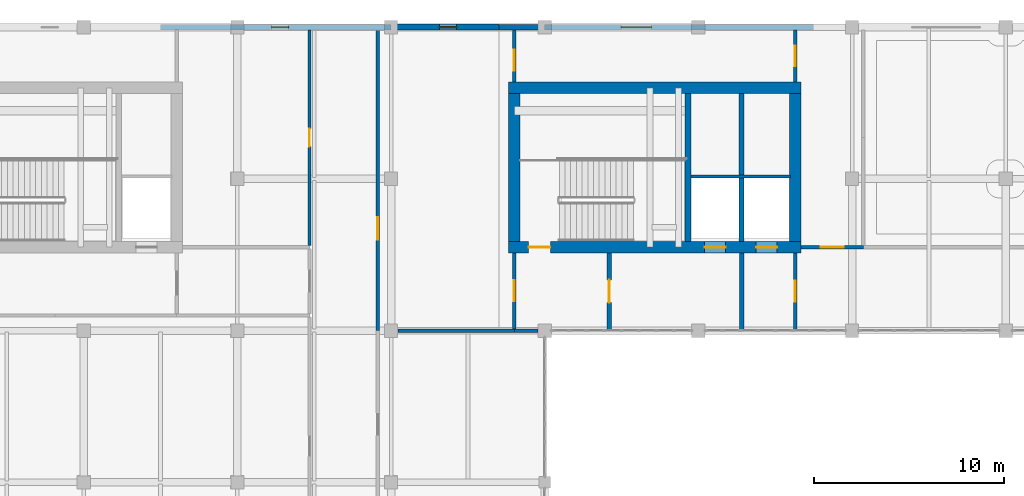
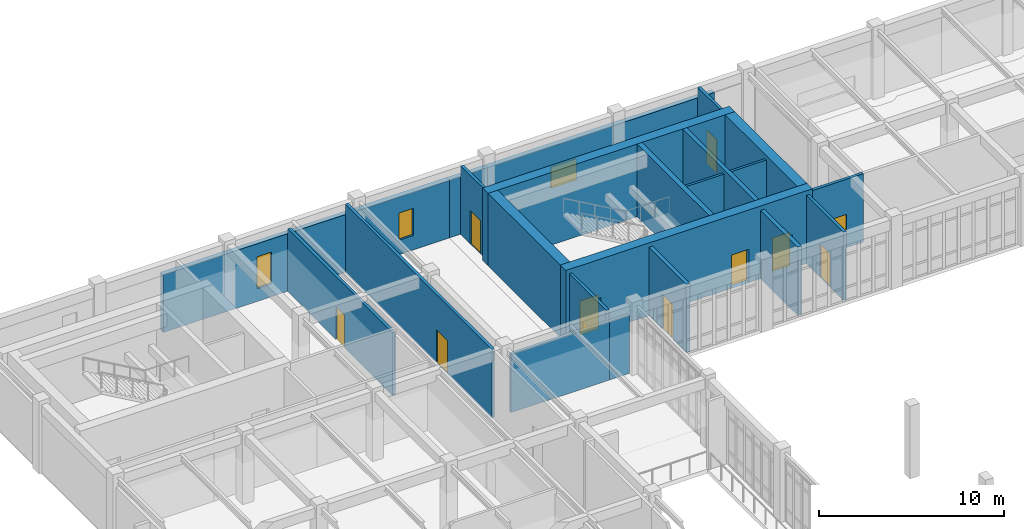
# One storey, part 47 of 61: 22 walls, 11 doors, 3 windows, 14 openings.
"""IFC4 building model written with IfcOpenShell, lengths in metres."""

import ifcopenshell
import ifcopenshell.guid

model = None  # the IFC model being written
_history = None  # IfcOwnerHistory: only IFC2X3 demands one
_inside = {}  # id of a spatial element -> (the spatial element, [elements in it])
_under = {}  # id of a project, library or spatial element -> (it, [spatial elements below it])
_declared = {}  # id of a project -> (the project, [libraries it declares])
_typed = {}  # id of a type object -> (the type object, [elements of that type])
_made_of = {}  # id of a material, layer set ... -> (it, [elements and type objects made of it])


def new_model(schema):
    """Start an empty IFC model of exactly this schema.

    Asked for "IFC4X3", IfcOpenShell would pick the latest addendum, in which some entities
    have other attributes; the version numbers below select the first issue.
    IFC2X3 requires an IfcOwnerHistory on every rooted entity: one is made here for all.
    """
    global model, _history
    if schema == "IFC4X3":
        model = ifcopenshell.file(schema_version=(4, 3, 0, 0))
    else:
        model = ifcopenshell.file(schema=schema)
    _inside.clear()
    _under.clear()
    _declared.clear()
    _typed.clear()
    _made_of.clear()
    _history = None
    if model.schema == "IFC2X3":
        org = make("IfcOrganization", Name="unknown")
        user = make(
            "IfcPersonAndOrganization",
            ThePerson=make("IfcPerson", FamilyName="unknown"),
            TheOrganization=org,
        )
        app = make(
            "IfcApplication",
            ApplicationDeveloper=org,
            Version="unknown",
            ApplicationFullName="unknown",
            ApplicationIdentifier="unknown",
        )
        _history = make(
            "IfcOwnerHistory",
            OwningUser=user,
            OwningApplication=app,
            ChangeAction="ADDED",
            CreationDate=0,
        )
    return model


def make(cls, **values):
    """One entity of the class cls with the attributes given. An attribute that is None is left unset."""
    return model.create_entity(
        cls, **{name: value for name, value in values.items() if value is not None}
    )


def rooted(cls, **values):
    """An entity with a GlobalId (a new one), such as an element, a storey or a relation."""
    return make(cls, GlobalId=ifcopenshell.guid.new(), OwnerHistory=_history, **values)


def si_unit(unit_type, name, prefix=None):
    """IfcSIUnit, for example si_unit("LENGTHUNIT", "METRE", prefix="MILLI")."""
    return make("IfcSIUnit", UnitType=unit_type, Prefix=prefix, Name=name)


def assignment(units):
    """IfcUnitAssignment: the units of a project."""
    return None if units is None else make("IfcUnitAssignment", Units=units)


def point(xyz):
    """IfcCartesianPoint."""
    return None if xyz is None else make("IfcCartesianPoint", Coordinates=xyz)


def direction(xyz):
    """IfcDirection."""
    return None if xyz is None else make("IfcDirection", DirectionRatios=xyz)


def frame(location, z_axis=None, x_axis=None):
    """IfcAxis2Placement3D, a coordinate frame: its origin and axes. An axis left out is left unset."""
    return make(
        "IfcAxis2Placement3D",
        Location=point(location),
        Axis=direction(z_axis),
        RefDirection=direction(x_axis),
    )


def frame_2d(location, x_axis=None):
    """IfcAxis2Placement2D, a coordinate frame in the plane: its origin and x axis."""
    return make(
        "IfcAxis2Placement2D", Location=point(location), RefDirection=direction(x_axis)
    )


def origin():
    """The frame at (0, 0, 0) with its axes left unset."""
    return frame((0.0, 0.0, 0.0))


def place(relative_to, where):
    """IfcLocalPlacement: puts the frame where relative to a parent placement (None: the world)."""
    return make(
        "IfcLocalPlacement", PlacementRelTo=relative_to, RelativePlacement=where
    )


def context(
    kind, dimensions, precision=None, world=None, true_north=None, identifier=None
):
    """IfcGeometricRepresentationContext, for example the 3D "Model" context."""
    return make(
        "IfcGeometricRepresentationContext",
        ContextIdentifier=identifier,
        ContextType=kind,
        CoordinateSpaceDimension=dimensions,
        Precision=precision,
        WorldCoordinateSystem=world,
        TrueNorth=true_north,
    )


def subcontext(parent, identifier, kind, view, scale=None):
    """IfcGeometricRepresentationSubContext, for example "Body" below "Model"."""
    return make(
        "IfcGeometricRepresentationSubContext",
        ContextIdentifier=identifier,
        ContextType=kind,
        ParentContext=parent,
        TargetScale=scale,
        TargetView=view,
    )


def project(units=None, contexts=None):
    """IfcProject with its units and contexts."""
    return rooted(
        "IfcProject",
        Name="project",
        RepresentationContexts=contexts,
        UnitsInContext=assignment(units),
    )


def spatial(cls, under=None, at=None, **own):
    """A site, building, storey or space (cls), placed at a placement, below another one or the project."""
    s = rooted(cls, ObjectPlacement=at, **own)
    if under is not None:
        _under.setdefault(under.id(), (under, []))[1].append(s)
    return s


def profile(cls, at=None, kind="AREA", **sizes):
    """A parametric profile (cls). Its sizes go by their IFC names, for example OverallWidth=200.0."""
    return make(cls, ProfileType=kind, Position=at, **sizes)


def rectangle(**sizes):
    """IfcRectangleProfileDef."""
    return profile("IfcRectangleProfileDef", **sizes)


def extrude(swept, where, along, depth):
    """IfcExtrudedAreaSolid: the profile swept, set in the frame where, extruded along a direction by depth."""
    return make(
        "IfcExtrudedAreaSolid",
        SweptArea=swept,
        Position=where,
        ExtrudedDirection=direction(along),
        Depth=depth,
    )


def shape(context_of_items, identifier, shape_type, items):
    """IfcShapeRepresentation: the items that make up one representation, for example the "Body"."""
    return make(
        "IfcShapeRepresentation",
        ContextOfItems=context_of_items,
        RepresentationIdentifier=identifier,
        RepresentationType=shape_type,
        Items=items,
    )


def material(Name=None, Category=None):
    """IfcMaterial."""
    return make("IfcMaterial", Name=Name, Category=Category)


def layer(
    of_material, thickness, ventilated=None, Name=None, Category=None, Priority=None
):
    """IfcMaterialLayer: one layer of a wall or slab, of a material (None: an air gap)."""
    return make(
        "IfcMaterialLayer",
        Material=of_material,
        LayerThickness=thickness,
        IsVentilated=ventilated,
        Name=Name,
        Category=Category,
        Priority=Priority,
    )


def layer_set(layers, Name=None):
    """IfcMaterialLayerSet."""
    return make("IfcMaterialLayerSet", MaterialLayers=layers, LayerSetName=Name)


def made_of(thing, what):
    """Note that an element or type object is made of a material, layer set ...; save() writes the relation."""
    if what is not None:
        _made_of.setdefault(what.id(), (what, []))[1].append(thing)
    return thing


def type_object(cls, material=None, **own):
    """A type object (cls), such as IfcWallType, which elements share."""
    return made_of(rooted(cls, **own), material)


def element(
    cls,
    number,
    at=None,
    inside=None,
    cuts=None,
    type_object=None,
    material=None,
    context=None,
    identifier="Body",
    shape_type=None,
    held_by="IfcProductDefinitionShape",
    body=None,
    shapes=None,
    **own,
):
    """One element of the class cls, such as IfcWall. Its Tag is "e" and its number.

    at: its placement. inside: the storey or other place that contains it. cuts: it is an
    opening in that element (IfcRelVoidsElement). A single representation is given by context,
    identifier, shape_type and body (its items); several are given by shapes. held_by: the class
    of the entity that holds the representations. save() writes the other relations.
    """
    e = rooted(cls, Tag="e%d" % number, ObjectPlacement=at, **own)
    if body is not None:
        shapes = [shape(context, identifier, shape_type, body)]
    if shapes is not None:
        e.Representation = make(held_by, Representations=shapes)
    if inside is not None:
        _inside.setdefault(inside.id(), (inside, []))[1].append(e)
    if cuts is not None:
        rooted(
            "IfcRelVoidsElement", RelatingBuildingElement=cuts, RelatedOpeningElement=e
        )
    if type_object is not None:
        _typed.setdefault(type_object.id(), (type_object, []))[1].append(e)
    return made_of(e, material)


def fill(opening, filler):
    """IfcRelFillsElement: the door or window that sits in an opening."""
    return rooted(
        "IfcRelFillsElement",
        RelatingOpeningElement=opening,
        RelatedBuildingElement=filler,
    )


def aggregate(whole, parts):
    """IfcRelAggregates: a whole, such as a stair, and the parts it consists of."""
    return rooted("IfcRelAggregates", RelatingObject=whole, RelatedObjects=parts)


def save(model, path):
    """Write the relations noted so far, then the file.

    IfcRelAggregates (storeys below a building ...), IfcRelContainedInSpatialStructure (elements
    in a storey), IfcRelDefinesByType, IfcRelAssociatesMaterial and IfcRelDeclares: one each for
    every whole, place, type object, material and project.
    """
    for whole, parts in _under.values():
        aggregate(whole, parts)
    for where, things in _inside.values():
        rooted(
            "IfcRelContainedInSpatialStructure",
            RelatedElements=things,
            RelatingStructure=where,
        )
    for kind, things in _typed.values():
        rooted("IfcRelDefinesByType", RelatedObjects=things, RelatingType=kind)
    for what, things in _made_of.values():
        rooted("IfcRelAssociatesMaterial", RelatedObjects=things, RelatingMaterial=what)
    for by, libraries in _declared.values():
        rooted("IfcRelDeclares", RelatingContext=by, RelatedDefinitions=libraries)
    model.write(path)


model = new_model("IFC4")

# Units and contexts
model_context = context("Model", 3, precision=1e-05, world=origin(), true_north=direction((0.0, 1.0)))
body_context = subcontext(model_context, "Body", "Model", "MODEL_VIEW")
ifc_project = project(units=[si_unit("LENGTHUNIT", "METRE"), si_unit("AREAUNIT", "SQUARE_METRE"), si_unit("VOLUMEUNIT", "CUBIC_METRE"), si_unit("PLANEANGLEUNIT", "RADIAN"), si_unit("MASSUNIT", "GRAM", prefix="KILO")], contexts=[model_context])

# Site, building, storey
site_placement = place(None, origin())
site = spatial("IfcSite", under=ifc_project, at=site_placement, CompositionType="ELEMENT")
building_placement = place(site_placement, origin())
building = spatial("IfcBuilding", under=site, at=building_placement, Name="Tarnveldt Square Police Headquarters", CompositionType="ELEMENT")
storey_placement = place(building_placement, frame((0.0, 0.0, 5.39990234375)))
storey = spatial("IfcBuildingStorey", under=building, at=storey_placement, Name="L01", CompositionType="ELEMENT", Elevation=5.39990234375)

# Walls
ifc_material_1 = material(Name="Concrete 50 MPa", Category="concrete")
ifc_layer_1 = layer(ifc_material_1, 0.449951171875)
ifc_layer_set_1 = layer_set([ifc_layer_1], Name="Concrete 50 MPa")
wall_type_1 = type_object("IfcWallType", Name="WL-CORE-450", PredefinedType="SHEAR", material=ifc_layer_set_1)
wall_1_placement = place(storey_placement, frame((56.14990234375, 100.699951171875, 0.0), z_axis=(0.0, 0.0, 1.0), x_axis=(0.0, 1.0, 0.0)))
element("IfcWall", 1, at=wall_1_placement, inside=storey, type_object=wall_type_1, Name="Core K3 North-Central Forensic and Firefighting Core L01 Stair-Lift Divider Shear Wall", PredefinedType="SHEAR", context=body_context, shape_type="SweptSolid", body=[
    extrude(rectangle(XDim=7.800048828125, YDim=0.300048828125, at=frame_2d((3.89990234375, 0.0))), origin(), (0.0, 0.0, 1.0), 4.800048828125),
])
wall_2_placement = place(storey_placement, frame((58.97509765625, 100.699951171875, 0.0), z_axis=(0.0, 0.0, 1.0), x_axis=(0.0, 1.0, 0.0)))
element("IfcWall", 2, at=wall_2_placement, inside=storey, type_object=wall_type_1, Name="Core K3 North-Central Forensic and Firefighting Core L01 Dual-Lift Shaft Divider Wall", PredefinedType="SHEAR", context=body_context, shape_type="SweptSolid", body=[
    extrude(rectangle(XDim=7.800048828125, YDim=0.25, at=frame_2d((3.89990234375, 0.0))), origin(), (0.0, 0.0, 1.0), 4.800048828125),
])

# Wall, openings, doors
ifc_layer_2 = layer(ifc_material_1, 0.60009765625)
ifc_layer_set_2 = layer_set([ifc_layer_2], Name="Concrete 50 MPa")
wall_type_2 = type_object("IfcWallType", Name="WL-CORE-600", PredefinedType="SHEAR", material=ifc_layer_set_2)
wall_3_placement = place(storey_placement, frame((46.699951171875, 100.39990234375, 0.0), z_axis=(0.0, 0.0, 1.0), x_axis=(1.0, 0.0, 0.0)))
wall_3 = element("IfcWall", 3, at=wall_3_placement, inside=storey, type_object=wall_type_2, Name="Core K3 North-Central Forensic and Firefighting Core L01 South Shear Wall", PredefinedType="SHEAR", context=body_context, shape_type="SweptSolid", body=[
    extrude(rectangle(XDim=15.400146484375, YDim=0.60009765625, at=frame_2d((7.7001953125, 0.0))), origin(), (0.0, 0.0, 1.0), 4.800048828125),
])
opening_1_placement = place(wall_3_placement, frame((1.050048828125, 0.0, 0.0)))
opening_1 = element("IfcOpeningElement", 4, at=opening_1_placement, cuts=wall_3, Name="Opening D-ST3-L01", PredefinedType="OPENING", context=body_context, shape_type="SweptSolid", body=[
    extrude(rectangle(XDim=1.14990234375, YDim=2.25, at=frame_2d((0.574951171875, 1.125))), frame((0.0, 0.31005859375, 0.0), z_axis=(0.0, -1.0, 0.0), x_axis=(1.0, 0.0, 0.0)), (0.0, 0.0, 1.0), 0.6201171875),
])
opening_2_placement = place(wall_3_placement, frame((10.33251953125, 0.0, 0.0)))
opening_2 = element("IfcOpeningElement", 5, at=opening_2_placement, cuts=wall_3, Name="Opening LD-LF2-L01", PredefinedType="OPENING", context=body_context, shape_type="SweptSolid", body=[
    extrude(rectangle(XDim=1.10009765625, YDim=2.199951171875, at=frame_2d((0.550048828125, 1.10009765625))), frame((0.0, 0.31005859375, 0.0), z_axis=(0.0, -1.0, 0.0), x_axis=(1.0, 0.0, 0.0)), (0.0, 0.0, 1.0), 0.6201171875),
])
opening_3_placement = place(wall_3_placement, frame((13.047607421875, 0.0, 0.0)))
opening_3 = element("IfcOpeningElement", 6, at=opening_3_placement, cuts=wall_3, Name="Opening LD-LP3-L01", PredefinedType="OPENING", context=body_context, shape_type="SweptSolid", body=[
    extrude(rectangle(XDim=1.10009765625, YDim=2.199951171875, at=frame_2d((0.550048828125, 1.10009765625))), frame((0.0, 0.31005859375, 0.0), z_axis=(0.0, -1.0, 0.0), x_axis=(1.0, 0.0, 0.0)), (0.0, 0.0, 1.0), 0.6201171875),
])
ifc_material_2 = material(Name="Insulated hollow metal steel door leaf", Category="steel")
door_type_1 = type_object("IfcDoorType", Name="DR-FD90-1150", OperationType="NOTDEFINED", PredefinedType="DOOR", material=ifc_material_2)
door_1_placement = place(opening_1_placement, origin())
door_1 = element("IfcDoor", 7, at=door_1_placement, inside=storey, type_object=door_type_1, Name="Exit Stair ST3 L01 Fire Door", OperationType="SINGLE_SWING_LEFT", OverallHeight=2.25, OverallWidth=1.14990234375, PredefinedType="DOOR", context=body_context, shape_type="SweptSolid", body=[
    extrude(rectangle(XDim=1.14990234375, YDim=2.25, at=frame_2d((0.574951171875, 1.125))), frame((0.0, 0.02490234375, 0.0), z_axis=(0.0, -1.0, 0.0), x_axis=(1.0, 0.0, 0.0)), (0.0, 0.0, 1.0), 0.050048828125),
])
fill(opening_1, door_1)
ifc_material_3 = material(Name="Steel 350W", Category="steel")
door_type_2 = type_object("IfcDoorType", Name="DR-LD-1100", OperationType="DOUBLE_DOOR_SLIDING", PredefinedType="DOOR", material=ifc_material_3)
door_2_placement = place(opening_2_placement, frame((1.10009765625, 0.0, 0.0), z_axis=(0.0, 0.0, 1.0), x_axis=(-1.0, 0.0, 0.0)))
door_2 = element("IfcDoor", 8, at=door_2_placement, inside=storey, type_object=door_type_2, Name="Elevator LF2 L01 Sliding Landing Door", OperationType="DOUBLE_DOOR_SLIDING", OverallHeight=2.199951171875, OverallWidth=1.10009765625, PredefinedType="DOOR", context=body_context, shape_type="SweptSolid", body=[
    extrude(rectangle(XDim=1.10009765625, YDim=2.199951171875, at=frame_2d((0.550048828125, 1.10009765625))), frame((0.0, 0.02490234375, 0.0), z_axis=(0.0, -1.0, 0.0), x_axis=(1.0, 0.0, 0.0)), (0.0, 0.0, 1.0), 0.050048828125),
])
fill(opening_2, door_2)
door_3_placement = place(opening_3_placement, frame((1.10009765625, 0.0, 0.0), z_axis=(0.0, 0.0, 1.0), x_axis=(-1.0, 0.0, 0.0)))
door_3 = element("IfcDoor", 9, at=door_3_placement, inside=storey, type_object=door_type_2, Name="Elevator LP3 L01 Sliding Landing Door", OperationType="DOUBLE_DOOR_SLIDING", OverallHeight=2.199951171875, OverallWidth=1.10009765625, PredefinedType="DOOR", context=body_context, shape_type="SweptSolid", body=[
    extrude(rectangle(XDim=1.10009765625, YDim=2.199951171875, at=frame_2d((0.550048828125, 1.10009765625))), frame((0.0, 0.02490234375, 0.0), z_axis=(0.0, -1.0, 0.0), x_axis=(1.0, 0.0, 0.0)), (0.0, 0.0, 1.0), 0.050048828125),
])
fill(opening_3, door_3)

# Walls
wall_4_placement = place(storey_placement, frame((46.699951171875, 108.800048828125, 0.0), z_axis=(0.0, 0.0, 1.0), x_axis=(1.0, 0.0, 0.0)))
element("IfcWall", 10, at=wall_4_placement, inside=storey, type_object=wall_type_2, Name="Core K3 North-Central Forensic and Firefighting Core L01 North Shear Wall", PredefinedType="SHEAR", context=body_context, shape_type="SweptSolid", body=[
    extrude(rectangle(XDim=15.400146484375, YDim=0.60009765625, at=frame_2d((7.7001953125, 0.0))), origin(), (0.0, 0.0, 1.0), 4.800048828125),
])
for number, where, z_axis, x_axis, name in (
    (11, (47.0, 100.699951171875, 0.0), (0.0, 0.0, 1.0), (0.0, 1.0, 0.0), "Core K3 North-Central Forensic and Firefighting Core L01 West Shear Wall"),
    (12, (61.800048828125, 100.699951171875, 0.0), (0.0, 0.0, 1.0), (0.0, 1.0, 0.0), "Core K3 North-Central Forensic and Firefighting Core L01 East Shear Wall"),
):
    element("IfcWall", number, at=place(storey_placement, frame(where, z_axis=z_axis, x_axis=x_axis)), inside=storey, type_object=wall_type_2, Name=name, PredefinedType="SHEAR", context=body_context, shape_type="SweptSolid", body=[
        extrude(rectangle(XDim=7.800048828125, YDim=0.60009765625, at=frame_2d((3.89990234375, 0.0))), origin(), (0.0, 0.0, 1.0), 4.800048828125),
    ])

# Wall, opening, window
ifc_material_4 = material(Name="Concrete 40 MPa", Category="concrete")
ifc_layer_3 = layer(ifc_material_4, 0.320068359375)
ifc_layer_set_3 = layer_set([ifc_layer_3], Name="Concrete 40 MPa")
wall_type_3 = type_object("IfcWallType", Name="WL-EXT-BH320", PredefinedType="SOLIDWALL", material=ifc_layer_set_3)
wall_5_placement = place(storey_placement, frame((46.199951171875, 112.0, 0.0), z_axis=(0.0, 0.0, 1.0), x_axis=(-1.0, 0.0, 0.0)))
wall_5 = element("IfcWall", 13, at=wall_5_placement, inside=storey, type_object=wall_type_3, Name="L01 Brutalist Exterior Wall 0091", PredefinedType="SOLIDWALL", context=body_context, shape_type="SweptSolid", body=[
    extrude(rectangle(XDim=5.699951171875, YDim=0.320068359375, at=frame_2d((2.85009765625, 0.0))), origin(), (0.0, 0.0, 1.0), 3.81201171875),
])
opening_4_placement = place(wall_5_placement, frame((2.25, 0.0, 0.949951171875)))
opening_4 = element("IfcOpeningElement", 14, at=opening_4_placement, cuts=wall_5, Name="Opening W01", PredefinedType="OPENING", context=body_context, shape_type="SweptSolid", body=[
    extrude(rectangle(XDim=0.89990234375, YDim=1.800048828125, at=frame_2d((0.449951171875, 0.89990234375))), frame((0.0, 0.169921875, 0.0), z_axis=(0.0, -1.0, 0.0), x_axis=(1.0, 0.0, 0.0)), (0.0, 0.0, 1.0), 0.340087890625),
])
ifc_material_5 = material(Name="Triple-glazed low-e laminated vision glass", Category="glass")
window_type_1 = type_object("IfcWindowType", Name="WIN-DR-090x180", PartitioningType="SINGLE_PANEL", PredefinedType="WINDOW", material=ifc_material_5)
window_1_placement = place(opening_4_placement, origin())
window_1 = element("IfcWindow", 15, at=window_1_placement, inside=storey, type_object=window_type_1, Name="L01 Deep-Reveal Brutalist Window 0025", OverallHeight=1.800048828125, OverallWidth=0.89990234375, PartitioningType="SINGLE_PANEL", PredefinedType="WINDOW", context=body_context, shape_type="SweptSolid", body=[
    extrude(rectangle(XDim=0.89990234375, YDim=1.800048828125, at=frame_2d((0.449951171875, 0.89990234375))), frame((0.0, 0.030029296875, 0.0), z_axis=(0.0, -1.0, 0.0), x_axis=(1.0, 0.0, 0.0)), (0.0, 0.0, 1.0), 0.06005859375),
])
fill(opening_4, window_1)

ifc_material_6 = material(Name="Manganese ironspot clay brick masonry 20 MPa", Category="masonry")
ifc_layer_4 = layer(ifc_material_6, 0.300048828125)
ifc_layer_set_4 = layer_set([ifc_layer_4], Name="Manganese ironspot clay brick masonry 20 MPa")
wall_type_4 = type_object("IfcWallType", Name="WL-EXT-BRK300", PredefinedType="SOLIDWALL", material=ifc_layer_set_4)
wall_6_placement = place(storey_placement, frame((62.77490234375, 112.0, 0.0), z_axis=(0.0, 0.0, 1.0), x_axis=(-1.0, 0.0, 0.0)))
wall_6 = element("IfcWall", 16, at=wall_6_placement, inside=storey, type_object=wall_type_4, Name="L01 Brutalist Exterior Wall 0089", PredefinedType="SOLIDWALL", context=body_context, shape_type="SweptSolid", body=[
    extrude(rectangle(XDim=14.1748046875, YDim=0.300048828125, at=frame_2d((7.08740234375, 0.0))), origin(), (0.0, 0.0, 1.0), 3.81201171875),
])
opening_5_placement = place(wall_6_placement, frame((8.550048828125, 0.0, 0.949951171875)))
opening_5 = element("IfcOpeningElement", 17, at=opening_5_placement, cuts=wall_6, Name="Opening W24", PredefinedType="OPENING", context=body_context, shape_type="SweptSolid", body=[
    extrude(rectangle(XDim=1.60009765625, YDim=1.39990234375, at=frame_2d((0.800048828125, 0.699951171875))), frame((0.0, 0.159912109375, 0.0), z_axis=(0.0, -1.0, 0.0), x_axis=(1.0, 0.0, 0.0)), (0.0, 0.0, 1.0), 0.320068359375),
])
ifc_material_7 = material(Name="UL 752 Level III laminated ballistic vision glass", Category="glass")
window_type_2 = type_object("IfcWindowType", Name="WIN-BAL-160x140", PartitioningType="SINGLE_PANEL", PredefinedType="WINDOW", material=ifc_material_7)
window_2_placement = place(opening_5_placement, origin())
window_2 = element("IfcWindow", 18, at=window_2_placement, inside=storey, type_object=window_type_2, Name="L01 Deep-Reveal Brutalist Window 0024", OverallHeight=1.39990234375, OverallWidth=1.60009765625, PartitioningType="SINGLE_PANEL", PredefinedType="WINDOW", context=body_context, shape_type="SweptSolid", body=[
    extrude(rectangle(XDim=1.60009765625, YDim=1.39990234375, at=frame_2d((0.800048828125, 0.699951171875))), frame((0.0, 0.030029296875, 0.0), z_axis=(0.0, -1.0, 0.0), x_axis=(1.0, 0.0, 0.0)), (0.0, 0.0, 1.0), 0.06005859375),
])
fill(opening_5, window_2)

# Wall
wall_7_placement = place(storey_placement, frame((48.60009765625, 112.0, 0.0), z_axis=(0.0, 0.0, 1.0), x_axis=(-1.0, 0.0, 0.0)))
element("IfcWall", 19, at=wall_7_placement, inside=storey, type_object=wall_type_4, Name="L01 Brutalist Exterior Wall 0090", PredefinedType="SOLIDWALL", context=body_context, shape_type="SweptSolid", body=[
    extrude(rectangle(XDim=2.400146484375, YDim=0.300048828125, at=frame_2d((1.2001953125, 0.0))), origin(), (0.0, 0.0, 1.0), 3.81201171875),
])

# Wall, opening, window
wall_8_placement = place(storey_placement, frame((40.5, 112.0, 0.0), z_axis=(0.0, 0.0, 1.0), x_axis=(-1.0, 0.0, 0.0)))
wall_8 = element("IfcWall", 20, at=wall_8_placement, inside=storey, type_object=wall_type_4, Name="L01 Brutalist Exterior Wall 0092", PredefinedType="SOLIDWALL", context=body_context, shape_type="SweptSolid", body=[
    extrude(rectangle(XDim=12.14990234375, YDim=0.300048828125, at=frame_2d((6.074951171875, 0.0))), origin(), (0.0, 0.0, 1.0), 3.81201171875),
])
opening_6_placement = place(wall_8_placement, frame((5.39990234375, 0.0, 0.85009765625)))
opening_6 = element("IfcOpeningElement", 21, at=opening_6_placement, cuts=wall_8, Name="Opening W02", PredefinedType="OPENING", context=body_context, shape_type="SweptSolid", body=[
    extrude(rectangle(XDim=0.89990234375, YDim=2.10009765625, at=frame_2d((0.449951171875, 1.050048828125))), frame((0.0, 0.159912109375, 0.0), z_axis=(0.0, -1.0, 0.0), x_axis=(1.0, 0.0, 0.0)), (0.0, 0.0, 1.0), 0.320068359375),
])
window_type_3 = type_object("IfcWindowType", Name="WIN-DR-090x210", PartitioningType="SINGLE_PANEL", PredefinedType="WINDOW", material=ifc_material_5)
window_3_placement = place(opening_6_placement, origin())
window_3 = element("IfcWindow", 22, at=window_3_placement, inside=storey, type_object=window_type_3, Name="L01 Deep-Reveal Brutalist Window 0026", OverallHeight=2.10009765625, OverallWidth=0.89990234375, PartitioningType="SINGLE_PANEL", PredefinedType="WINDOW", context=body_context, shape_type="SweptSolid", body=[
    extrude(rectangle(XDim=0.89990234375, YDim=2.10009765625, at=frame_2d((0.449951171875, 1.050048828125))), frame((0.0, 0.030029296875, 0.0), z_axis=(0.0, -1.0, 0.0), x_axis=(1.0, 0.0, 0.0)), (0.0, 0.0, 1.0), 0.06005859375),
])
fill(opening_6, window_3)

# Walls
ifc_material_8 = material(Name="Fire-rated Type X gypsum board on steel studs", Category="steel")
ifc_layer_5 = layer(ifc_material_8, 0.179931640625)
ifc_layer_set_5 = layer_set([ifc_layer_5], Name="Fire-rated Type X gypsum board on steel studs")
wall_type_5 = type_object("IfcWallType", Name="WL-FIRE-180", PredefinedType="PARTITIONING", material=ifc_layer_set_5)
wall_9_placement = place(storey_placement, frame((40.85791015625, 96.0, 0.0), z_axis=(0.0, 0.0, 1.0), x_axis=(1.0, 0.0, 0.0)))
element("IfcWall", 23, at=wall_9_placement, inside=storey, type_object=wall_type_5, Name="L01 Interior Partition Wall 0245", PredefinedType="PARTITIONING", context=body_context, shape_type="SweptSolid", body=[
    extrude(rectangle(XDim=6.14208984375, YDim=0.179931640625, at=frame_2d((3.071044921875, 0.0))), origin(), (0.0, 0.0, 1.0), 3.862060546875),
])
wall_10_placement = place(storey_placement, frame((47.0, 96.0, 0.0), z_axis=(0.0, 0.0, 1.0), x_axis=(1.0, 0.0, 0.0)))
element("IfcWall", 24, at=wall_10_placement, inside=storey, type_object=wall_type_5, Name="L01 Interior Partition Wall 0246", PredefinedType="PARTITIONING", context=body_context, shape_type="SweptSolid", body=[
    extrude(rectangle(XDim=1.241943359375, YDim=0.179931640625, at=frame_2d((0.62109375, 0.0))), origin(), (0.0, 0.0, 1.0), 3.862060546875),
])

# Wall, opening, door
wall_11_placement = place(storey_placement, frame((62.10009765625, 100.39990234375, 0.0), z_axis=(0.0, 0.0, 1.0), x_axis=(1.0, 0.0, 0.0)))
wall_11 = element("IfcWall", 25, at=wall_11_placement, inside=storey, type_object=wall_type_5, Name="L01 Interior Partition Wall 0248", PredefinedType="PARTITIONING", context=body_context, shape_type="SweptSolid", body=[
    extrude(rectangle(XDim=3.2998046875, YDim=0.179931640625, at=frame_2d((1.64990234375, 0.0))), origin(), (0.0, 0.0, 1.0), 4.52001953125),
])
opening_7_placement = place(wall_11_placement, frame((1.050048828125, 0.0, 0.0)))
opening_7 = element("IfcOpeningElement", 26, at=opening_7_placement, cuts=wall_11, Name="Opening D16", PredefinedType="OPENING", context=body_context, shape_type="SweptSolid", body=[
    extrude(rectangle(XDim=1.199951171875, YDim=2.199951171875, at=frame_2d((0.60009765625, 1.10009765625))), frame((0.0, 0.099853515625, 0.0), z_axis=(0.0, -1.0, 0.0), x_axis=(1.0, 0.0, 0.0)), (0.0, 0.0, 1.0), 0.199951171875),
])
door_type_3 = type_object("IfcDoorType", Name="DR-FD60-1200", OperationType="NOTDEFINED", PredefinedType="DOOR", material=ifc_material_2)
door_4_placement = place(opening_7_placement, frame((1.199951171875, 0.0, 0.0), z_axis=(0.0, 0.0, 1.0), x_axis=(-1.0, 0.0, 0.0)))
door_4 = element("IfcDoor", 27, at=door_4_placement, inside=storey, type_object=door_type_3, Name="Forensic Intake Corridor L01 Door", OperationType="SINGLE_SWING_RIGHT", OverallHeight=2.199951171875, OverallWidth=1.199951171875, PredefinedType="DOOR", context=body_context, shape_type="SweptSolid", body=[
    extrude(rectangle(XDim=1.199951171875, YDim=2.199951171875, at=frame_2d((0.60009765625, 1.10009765625))), frame((0.0, 0.02490234375, 0.0), z_axis=(0.0, -1.0, 0.0), x_axis=(1.0, 0.0, 0.0)), (0.0, 0.0, 1.0), 0.050048828125),
])
fill(opening_7, door_4)

wall_12_placement = place(storey_placement, frame((36.199951171875, 100.498046875, 0.0), z_axis=(0.0, 0.0, 1.0), x_axis=(0.0, 1.0, 0.0)))
wall_12 = element("IfcWall", 28, at=wall_12_placement, inside=storey, type_object=wall_type_5, Name="L01 Interior Partition Wall 0283", PredefinedType="PARTITIONING", context=body_context, shape_type="SweptSolid", body=[
    extrude(rectangle(XDim=11.343994140625, YDim=0.179931640625, at=frame_2d((5.671875, 0.0))), origin(), (0.0, 0.0, 1.0), 4.158203125),
])
opening_8_placement = place(wall_12_placement, frame((5.197021484375, 0.0, 0.0)))
opening_8 = element("IfcOpeningElement", 29, at=opening_8_placement, cuts=wall_12, Name="Opening D03", PredefinedType="OPENING", context=body_context, shape_type="SweptSolid", body=[
    extrude(rectangle(XDim=0.949951171875, YDim=2.14990234375, at=frame_2d((0.47509765625, 1.074951171875))), frame((0.0, 0.099853515625, 0.0), z_axis=(0.0, -1.0, 0.0), x_axis=(1.0, 0.0, 0.0)), (0.0, 0.0, 1.0), 0.199951171875),
])
ifc_material_9 = material(Name="Solid core architectural birch door leaf", Category="wood")
door_type_4 = type_object("IfcDoorType", Name="DR-INT-950", OperationType="NOTDEFINED", PredefinedType="DOOR", material=ifc_material_9)
door_5_placement = place(opening_8_placement, origin())
door_5 = element("IfcDoor", 30, at=door_5_placement, inside=storey, type_object=door_type_4, Name="Peer Support Wellness Suite Door", OperationType="SINGLE_SWING_LEFT", OverallHeight=2.14990234375, OverallWidth=0.949951171875, PredefinedType="DOOR", context=body_context, shape_type="SweptSolid", body=[
    extrude(rectangle(XDim=0.949951171875, YDim=2.14990234375, at=frame_2d((0.47509765625, 1.074951171875))), frame((0.0, 0.02490234375, 0.0), z_axis=(0.0, -1.0, 0.0), x_axis=(1.0, 0.0, 0.0)), (0.0, 0.0, 1.0), 0.050048828125),
])
fill(opening_8, door_5)

wall_13_placement = place(storey_placement, frame((39.800048828125, 96.0, 0.0), z_axis=(0.0, 0.0, 1.0), x_axis=(0.0, 1.0, 0.0)))
wall_13 = element("IfcWall", 31, at=wall_13_placement, inside=storey, type_object=wall_type_5, Name="L01 Interior Partition Wall 0291", PredefinedType="PARTITIONING", context=body_context, shape_type="SweptSolid", body=[
    extrude(rectangle(XDim=15.842041015625, YDim=0.179931640625, at=frame_2d((7.9208984375, 0.0))), origin(), (0.0, 0.0, 1.0), 4.52001953125),
])
opening_9_placement = place(wall_13_placement, frame((4.786376953125, 0.0, 0.0)))
opening_9 = element("IfcOpeningElement", 32, at=opening_9_placement, cuts=wall_13, Name="Opening D16", PredefinedType="OPENING", context=body_context, shape_type="SweptSolid", body=[
    extrude(rectangle(XDim=1.199951171875, YDim=2.199951171875, at=frame_2d((0.60009765625, 1.10009765625))), frame((0.0, 0.099853515625, 0.0), z_axis=(0.0, -1.0, 0.0), x_axis=(1.0, 0.0, 0.0)), (0.0, 0.0, 1.0), 0.199951171875),
])
door_6_placement = place(opening_9_placement, frame((1.199951171875, 0.0, 0.0), z_axis=(0.0, 0.0, 1.0), x_axis=(-1.0, 0.0, 0.0)))
door_6 = element("IfcDoor", 33, at=door_6_placement, inside=storey, type_object=door_type_3, Name="North-West Forensic Link Corridor L01 Door", OperationType="SINGLE_SWING_RIGHT", OverallHeight=2.199951171875, OverallWidth=1.199951171875, PredefinedType="DOOR", context=body_context, shape_type="SweptSolid", body=[
    extrude(rectangle(XDim=1.199951171875, YDim=2.199951171875, at=frame_2d((0.60009765625, 1.10009765625))), frame((0.0, 0.02490234375, 0.0), z_axis=(0.0, -1.0, 0.0), x_axis=(1.0, 0.0, 0.0)), (0.0, 0.0, 1.0), 0.050048828125),
])
fill(opening_9, door_6)

wall_14_placement = place(storey_placement, frame((47.0, 96.097900390625, 0.0), z_axis=(0.0, 0.0, 1.0), x_axis=(0.0, 1.0, 0.0)))
wall_14 = element("IfcWall", 34, at=wall_14_placement, inside=storey, type_object=wall_type_5, Name="L01 Interior Partition Wall 0292", PredefinedType="PARTITIONING", context=body_context, shape_type="SweptSolid", body=[
    extrude(rectangle(XDim=3.994140625, YDim=0.179931640625, at=frame_2d((1.9970703125, 0.0))), origin(), (0.0, 0.0, 1.0), 4.52001953125),
])
opening_10_placement = place(wall_14_placement, frame((1.447021484375, 0.0, 0.0)))
opening_10 = element("IfcOpeningElement", 35, at=opening_10_placement, cuts=wall_14, Name="Opening D15", PredefinedType="OPENING", context=body_context, shape_type="SweptSolid", body=[
    extrude(rectangle(XDim=1.10009765625, YDim=2.199951171875, at=frame_2d((0.550048828125, 1.10009765625))), frame((0.0, 0.099853515625, 0.0), z_axis=(0.0, -1.0, 0.0), x_axis=(1.0, 0.0, 0.0)), (0.0, 0.0, 1.0), 0.199951171875),
])
door_type_5 = type_object("IfcDoorType", Name="DR-FD60-1100", OperationType="NOTDEFINED", PredefinedType="DOOR", material=ifc_material_2)
door_7_placement = place(opening_10_placement, origin())
door_7 = element("IfcDoor", 36, at=door_7_placement, inside=storey, type_object=door_type_5, Name="Core Stair Lobby K3-L01 Door", OperationType="SINGLE_SWING_LEFT", OverallHeight=2.199951171875, OverallWidth=1.10009765625, PredefinedType="DOOR", context=body_context, shape_type="SweptSolid", body=[
    extrude(rectangle(XDim=1.10009765625, YDim=2.199951171875, at=frame_2d((0.550048828125, 1.10009765625))), frame((0.0, 0.02490234375, 0.0), z_axis=(0.0, -1.0, 0.0), x_axis=(1.0, 0.0, 0.0)), (0.0, 0.0, 1.0), 0.050048828125),
])
fill(opening_10, door_7)

wall_15_placement = place(storey_placement, frame((47.0, 109.10791015625, 0.0), z_axis=(0.0, 0.0, 1.0), x_axis=(0.0, 1.0, 0.0)))
wall_15 = element("IfcWall", 37, at=wall_15_placement, inside=storey, type_object=wall_type_5, Name="L01 Interior Partition Wall 0293", PredefinedType="PARTITIONING", context=body_context, shape_type="SweptSolid", body=[
    extrude(rectangle(XDim=2.734130859375, YDim=0.179931640625, at=frame_2d((1.3671875, 0.0))), origin(), (0.0, 0.0, 1.0), 4.52001953125),
])
opening_11_placement = place(wall_15_placement, frame((0.598388671875, 0.0, 0.0)))
opening_11 = element("IfcOpeningElement", 38, at=opening_11_placement, cuts=wall_15, Name="Opening D15", PredefinedType="OPENING", context=body_context, shape_type="SweptSolid", body=[
    extrude(rectangle(XDim=1.10009765625, YDim=2.199951171875, at=frame_2d((0.550048828125, 1.10009765625))), frame((0.0, 0.099853515625, 0.0), z_axis=(0.0, -1.0, 0.0), x_axis=(1.0, 0.0, 0.0)), (0.0, 0.0, 1.0), 0.199951171875),
])
door_8_placement = place(opening_11_placement, frame((1.10009765625, 0.0, 0.0), z_axis=(0.0, 0.0, 1.0), x_axis=(-1.0, 0.0, 0.0)))
door_8 = element("IfcDoor", 39, at=door_8_placement, inside=storey, type_object=door_type_5, Name="Core K3 North Corridor L01 Door", OperationType="SINGLE_SWING_RIGHT", OverallHeight=2.199951171875, OverallWidth=1.10009765625, PredefinedType="DOOR", context=body_context, shape_type="SweptSolid", body=[
    extrude(rectangle(XDim=1.10009765625, YDim=2.199951171875, at=frame_2d((0.550048828125, 1.10009765625))), frame((0.0, 0.02490234375, 0.0), z_axis=(0.0, -1.0, 0.0), x_axis=(1.0, 0.0, 0.0)), (0.0, 0.0, 1.0), 0.050048828125),
])
fill(opening_11, door_8)

wall_16_placement = place(storey_placement, frame((61.800048828125, 96.06494140625, 0.0), z_axis=(0.0, 0.0, 1.0), x_axis=(0.0, 1.0, 0.0)))
wall_16 = element("IfcWall", 40, at=wall_16_placement, inside=storey, type_object=wall_type_5, Name="L01 Interior Partition Wall 0300", PredefinedType="PARTITIONING", context=body_context, shape_type="SweptSolid", body=[
    extrude(rectangle(XDim=4.027099609375, YDim=0.179931640625, at=frame_2d((2.013671875, 0.0))), origin(), (0.0, 0.0, 1.0), 4.52001953125),
])
opening_12_placement = place(wall_16_placement, frame((1.46337890625, 0.0, 0.0)))
opening_12 = element("IfcOpeningElement", 41, at=opening_12_placement, cuts=wall_16, Name="Opening D15", PredefinedType="OPENING", context=body_context, shape_type="SweptSolid", body=[
    extrude(rectangle(XDim=1.10009765625, YDim=2.199951171875, at=frame_2d((0.550048828125, 1.10009765625))), frame((0.0, 0.099853515625, 0.0), z_axis=(0.0, -1.0, 0.0), x_axis=(1.0, 0.0, 0.0)), (0.0, 0.0, 1.0), 0.199951171875),
])
door_9_placement = place(opening_12_placement, frame((1.10009765625, 0.0, 0.0), z_axis=(0.0, 0.0, 1.0), x_axis=(-1.0, 0.0, 0.0)))
door_9 = element("IfcDoor", 42, at=door_9_placement, inside=storey, type_object=door_type_5, Name="Passenger Lift Lobby K3-L01 Door", OperationType="SINGLE_SWING_RIGHT", OverallHeight=2.199951171875, OverallWidth=1.10009765625, PredefinedType="DOOR", context=body_context, shape_type="SweptSolid", body=[
    extrude(rectangle(XDim=1.10009765625, YDim=2.199951171875, at=frame_2d((0.550048828125, 1.10009765625))), frame((0.0, 0.02490234375, 0.0), z_axis=(0.0, -1.0, 0.0), x_axis=(1.0, 0.0, 0.0)), (0.0, 0.0, 1.0), 0.050048828125),
])
fill(opening_12, door_9)

wall_17_placement = place(storey_placement, frame((61.800048828125, 109.10791015625, 0.0), z_axis=(0.0, 0.0, 1.0), x_axis=(0.0, 1.0, 0.0)))
wall_17 = element("IfcWall", 43, at=wall_17_placement, inside=storey, type_object=wall_type_5, Name="L01 Interior Partition Wall 0301", PredefinedType="PARTITIONING", context=body_context, shape_type="SweptSolid", body=[
    extrude(rectangle(XDim=2.734130859375, YDim=0.179931640625, at=frame_2d((1.3671875, 0.0))), origin(), (0.0, 0.0, 1.0), 4.52001953125),
])
opening_13_placement = place(wall_17_placement, frame((0.81689453125, 0.0, 0.0)))
opening_13 = element("IfcOpeningElement", 44, at=opening_13_placement, cuts=wall_17, Name="Opening D15", PredefinedType="OPENING", context=body_context, shape_type="SweptSolid", body=[
    extrude(rectangle(XDim=1.10009765625, YDim=2.199951171875, at=frame_2d((0.550048828125, 1.10009765625))), frame((0.0, 0.099853515625, 0.0), z_axis=(0.0, -1.0, 0.0), x_axis=(1.0, 0.0, 0.0)), (0.0, 0.0, 1.0), 0.199951171875),
])
door_10_placement = place(opening_13_placement, origin())
door_10 = element("IfcDoor", 45, at=door_10_placement, inside=storey, type_object=door_type_5, Name="Core K3 North Corridor L01 Secondary Door", OperationType="SINGLE_SWING_LEFT", OverallHeight=2.199951171875, OverallWidth=1.10009765625, PredefinedType="DOOR", context=body_context, shape_type="SweptSolid", body=[
    extrude(rectangle(XDim=1.10009765625, YDim=2.199951171875, at=frame_2d((0.550048828125, 1.10009765625))), frame((0.0, 0.02490234375, 0.0), z_axis=(0.0, -1.0, 0.0), x_axis=(1.0, 0.0, 0.0)), (0.0, 0.0, 1.0), 0.050048828125),
])
fill(opening_13, door_10)

ifc_material_10 = material(Name="Concrete block masonry 15 MPa", Category="masonry")
ifc_layer_6 = layer(ifc_material_10, 0.239990234375)
ifc_layer_set_6 = layer_set([ifc_layer_6], Name="Concrete block masonry 15 MPa")
wall_type_6 = type_object("IfcWallType", Name="WL-FIRE-240", PredefinedType="PARTITIONING", material=ifc_layer_set_6)
wall_18_placement = place(storey_placement, frame((52.0, 96.06494140625, 0.0), z_axis=(0.0, 0.0, 1.0), x_axis=(0.0, 1.0, 0.0)))
wall_18 = element("IfcWall", 46, at=wall_18_placement, inside=storey, type_object=wall_type_6, Name="L01 Interior Partition Wall 0294", PredefinedType="PARTITIONING", context=body_context, shape_type="SweptSolid", body=[
    extrude(rectangle(XDim=4.027099609375, YDim=0.239990234375, at=frame_2d((2.013671875, 0.0))), origin(), (0.0, 0.0, 1.0), 4.52001953125),
])
opening_14_placement = place(wall_18_placement, frame((1.41357421875, 0.0, 0.0)))
opening_14 = element("IfcOpeningElement", 47, at=opening_14_placement, cuts=wall_18, Name="Opening D20", PredefinedType="OPENING", context=body_context, shape_type="SweptSolid", body=[
    extrude(rectangle(XDim=1.199951171875, YDim=2.300048828125, at=frame_2d((0.60009765625, 1.14990234375))), frame((0.0, 0.1298828125, 0.0), z_axis=(0.0, -1.0, 0.0), x_axis=(1.0, 0.0, 0.0)), (0.0, 0.0, 1.0), 0.260009765625),
])
door_type_6 = type_object("IfcDoorType", Name="DR-FD90-1200", OperationType="NOTDEFINED", PredefinedType="DOOR", material=ifc_material_2)
door_11_placement = place(opening_14_placement, origin())
door_11 = element("IfcDoor", 48, at=door_11_placement, inside=storey, type_object=door_type_6, Name="Firefighting Lift Lobby K3-L01 Door", OperationType="SINGLE_SWING_LEFT", OverallHeight=2.300048828125, OverallWidth=1.199951171875, PredefinedType="DOOR", context=body_context, shape_type="SweptSolid", body=[
    extrude(rectangle(XDim=1.199951171875, YDim=2.300048828125, at=frame_2d((0.60009765625, 1.14990234375))), frame((0.0, 0.02490234375, 0.0), z_axis=(0.0, -1.0, 0.0), x_axis=(1.0, 0.0, 0.0)), (0.0, 0.0, 1.0), 0.050048828125),
])
fill(opening_14, door_11)

# Walls
wall_19_placement = place(storey_placement, frame((58.97509765625, 96.06494140625, 0.0), z_axis=(0.0, 0.0, 1.0), x_axis=(0.0, 1.0, 0.0)))
element("IfcWall", 49, at=wall_19_placement, inside=storey, type_object=wall_type_6, Name="L01 Interior Partition Wall 0299", PredefinedType="PARTITIONING", context=body_context, shape_type="SweptSolid", body=[
    extrude(rectangle(XDim=4.027099609375, YDim=0.239990234375, at=frame_2d((2.013671875, 0.0))), origin(), (0.0, 0.0, 1.0), 4.52001953125),
])
ifc_layer_7 = layer(ifc_material_8, 0.14990234375)
ifc_layer_set_7 = layer_set([ifc_layer_7], Name="Fire-rated Type X gypsum board on steel studs")
wall_type_7 = type_object("IfcWallType", Name="WL-SHAFT-150", PredefinedType="PARTITIONING", material=ifc_layer_set_7)
wall_20_placement = place(storey_placement, frame((56.300048828125, 104.1201171875, 0.0), z_axis=(0.0, 0.0, 1.0), x_axis=(1.0, 0.0, 0.0)))
element("IfcWall", 50, at=wall_20_placement, inside=storey, type_object=wall_type_7, Name="K3 L01 Elevator Shaft Back Wall", PredefinedType="PARTITIONING", context=body_context, shape_type="SweptSolid", body=[
    extrude(rectangle(XDim=5.25, YDim=0.14990234375, at=frame_2d((2.625, 0.0))), origin(), (0.0, 0.0, 1.0), 4.52001953125),
])

save(model, "model.ifc")
